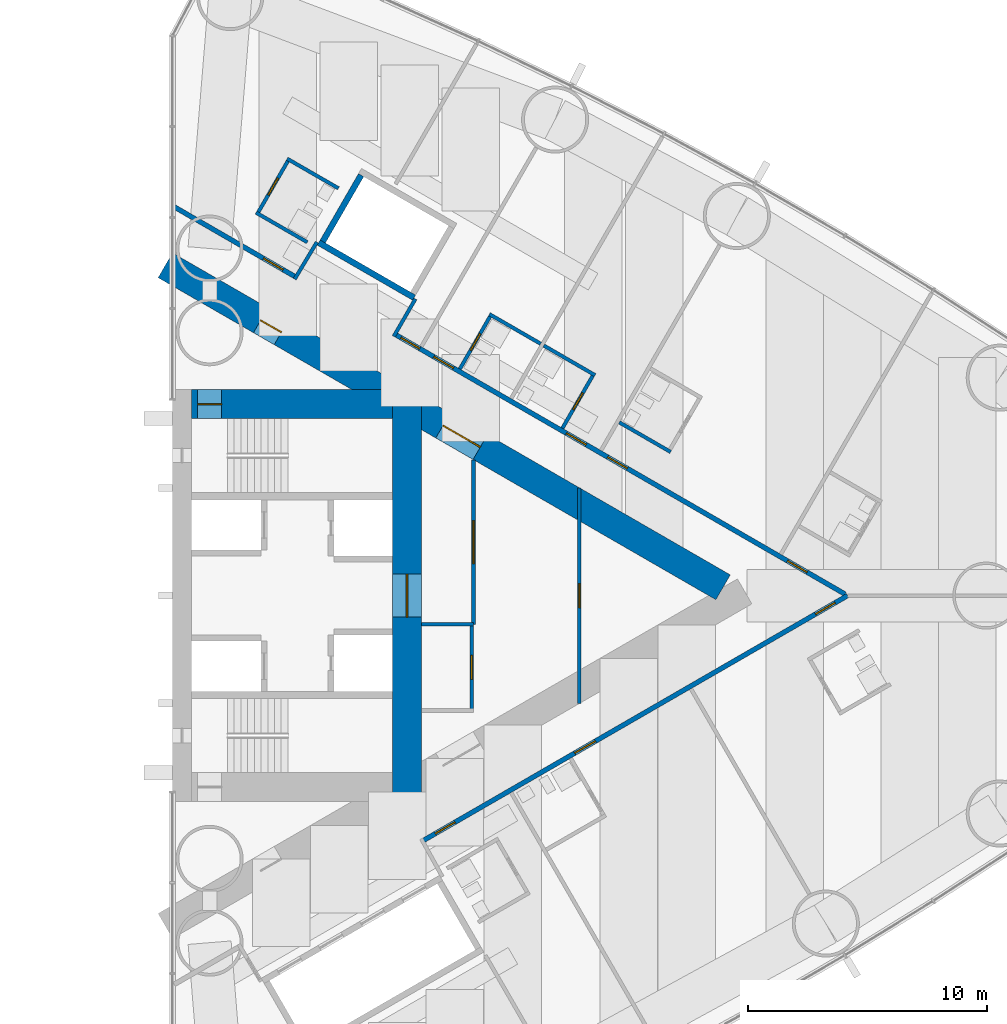
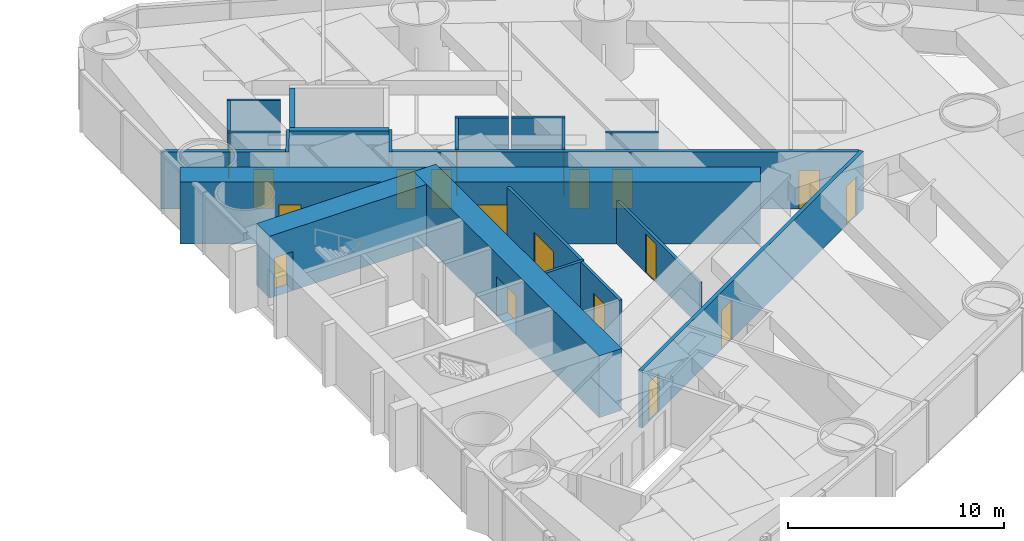
# One storey, part 15 of 19: 22 walls, 19 doors, 19 openings.
"""IFC4 building model written with IfcOpenShell, lengths in metres."""

from ifc_helpers import new_model, si_unit, direction, frame, frame_2d, origin, place, context, subcontext, project, spatial, rectangle, extrude, material, layer, layer_set, type_object, element, fill, save


model = new_model("IFC4")

# Units and contexts
model_context = context("Model", 3, precision=1e-05, world=origin(), true_north=direction((0.0, 1.0)))
body_context = subcontext(model_context, "Body", "Model", "MODEL_VIEW")
ifc_project = project(units=[si_unit("LENGTHUNIT", "METRE"), si_unit("AREAUNIT", "SQUARE_METRE"), si_unit("VOLUMEUNIT", "CUBIC_METRE"), si_unit("PLANEANGLEUNIT", "RADIAN"), si_unit("MASSUNIT", "GRAM", prefix="KILO")], contexts=[model_context])

# Site, building, storey
site_placement = place(None, origin())
site = spatial("IfcSite", under=ifc_project, at=site_placement, CompositionType="ELEMENT")
building_placement = place(site_placement, origin())
building = spatial("IfcBuilding", under=site, at=building_placement, Name="Lancet Gate Hotel", CompositionType="ELEMENT")
storey_placement = place(building_placement, frame((0.0, 0.0, 39.0)))
storey = spatial("IfcBuildingStorey", under=building, at=storey_placement, Name="L09", CompositionType="ELEMENT", Elevation=39.0)

# Walls
ifc_material_1 = material(Name="Moisture resistant board partition")
ifc_layer_1 = layer(ifc_material_1, 0.14990234375)
ifc_layer_set_1 = layer_set([ifc_layer_1], Name="Bathroom wall 150")
wall_type_1 = type_object("IfcWallType", Name="Bathroom wall 150", PredefinedType="PARTITIONING", material=ifc_layer_set_1)
wall_1_placement = place(storey_placement, frame((46.16796875, 7.23681640625, 0.0), z_axis=(0.0, 0.0, 1.0), x_axis=(0.866006523861, -0.500032699561, 0.0)))
element("IfcWall", 1, at=wall_1_placement, inside=storey, type_object=wall_type_1, Name="T2 bathroom wall 150 L09", PredefinedType="PARTITIONING", context=body_context, shape_type="SweptSolid", body=[
    extrude(rectangle(XDim=2.474853515625, YDim=0.14990234375, at=frame_2d((1.2373046875, 0.0))), origin(), (0.0, 0.0, 1.0), 3.25),
])
wall_2_placement = place(storey_placement, frame((43.01220703125, 10.4443359375, 0.0), z_axis=(0.0, 0.0, 1.0), x_axis=(0.866031185235, -0.4999899861, 0.0)))
element("IfcWall", 2, at=wall_2_placement, inside=storey, type_object=wall_type_1, Name="T2 bathroom wall 150 L09", PredefinedType="PARTITIONING", context=body_context, shape_type="SweptSolid", body=[
    extrude(rectangle(XDim=2.47509765625, YDim=0.14990234375, at=frame_2d((1.237548828125, 0.0))), origin(), (0.0, 0.0, 1.0), 3.25),
])

# Wall, opening, door
wall_3_placement = place(storey_placement, frame((43.790771484375, 6.99267578125, 0.0), z_axis=(0.0, 0.0, 1.0), x_axis=(0.500047596559, 0.865997922154, 0.0)))
wall_3 = element("IfcWall", 3, at=wall_3_placement, inside=storey, type_object=wall_type_1, Name="T2 bathroom wall 150 L09", PredefinedType="PARTITIONING", context=body_context, shape_type="SweptSolid", body=[
    extrude(rectangle(XDim=2.599853515625, YDim=0.14990234375, at=frame_2d((1.2998046875, 0.0))), origin(), (0.0, 0.0, 1.0), 3.25),
])
opening_1_placement = place(wall_3_placement, frame((0.89990234375, 0.0, 0.0)))
opening_1 = element("IfcOpeningElement", 4, at=opening_1_placement, cuts=wall_3, Name="Opening 0961-B", PredefinedType="OPENING", context=body_context, shape_type="SweptSolid", body=[
    extrude(rectangle(XDim=0.800048828125, YDim=2.199951171875, at=frame_2d((0.39990234375, 1.10009765625))), frame((0.0, 0.0849609375, 0.0), z_axis=(0.0, -1.0, 0.0), x_axis=(1.0, 0.0, 0.0)), (0.0, 0.0, 1.0), 0.169921875),
])
ifc_material_2 = material(Name="Timber door set", Category="wood")
door_type_1 = type_object("IfcDoorType", Name="Bathroom door 800", OperationType="SINGLE_SWING_RIGHT", PredefinedType="DOOR", material=ifc_material_2)
door_1_placement = place(opening_1_placement, origin())
door_1 = element("IfcDoor", 5, at=door_1_placement, inside=storey, type_object=door_type_1, Name="0961-B", OperationType="SINGLE_SWING_RIGHT", OverallHeight=2.199951171875, OverallWidth=0.800048828125, PredefinedType="DOOR", context=body_context, shape_type="SweptSolid", body=[
    extrude(rectangle(XDim=0.800048828125, YDim=2.199951171875, at=frame_2d((0.39990234375, 1.10009765625))), frame((0.0, 0.02490234375, 0.0), z_axis=(0.0, -1.0, 0.0), x_axis=(1.0, 0.0, 0.0)), (0.0, 0.0, 1.0), 0.050048828125),
])
fill(opening_1, door_1)

# Wall
wall_4_placement = place(storey_placement, frame((40.739013671875, 11.7568359375, 0.0), z_axis=(0.0, 0.0, 1.0), x_axis=(0.866006523861, -0.500032699561, 0.0)))
element("IfcWall", 6, at=wall_4_placement, inside=storey, type_object=wall_type_1, Name="T2 bathroom wall 150 L09", PredefinedType="PARTITIONING", context=body_context, shape_type="SweptSolid", body=[
    extrude(rectangle(XDim=2.474853515625, YDim=0.14990234375, at=frame_2d((1.2373046875, 0.0))), origin(), (0.0, 0.0, 1.0), 3.25),
])

# Wall, opening, door
wall_5_placement = place(storey_placement, frame((39.50390625, 9.467529296875, 0.0), z_axis=(0.0, 0.0, 1.0), x_axis=(0.500006934395, 0.866021400173, 0.0)))
wall_5 = element("IfcWall", 7, at=wall_5_placement, inside=storey, type_object=wall_type_1, Name="T2 bathroom wall 150 L09", PredefinedType="PARTITIONING", context=body_context, shape_type="SweptSolid", body=[
    extrude(rectangle(XDim=2.60009765625, YDim=0.14990234375, at=frame_2d((1.300048828125, 0.0))), origin(), (0.0, 0.0, 1.0), 3.25),
])
opening_2_placement = place(wall_5_placement, frame((0.89990234375, 0.0, 0.0)))
opening_2 = element("IfcOpeningElement", 8, at=opening_2_placement, cuts=wall_5, Name="Opening 0962-B", PredefinedType="OPENING", context=body_context, shape_type="SweptSolid", body=[
    extrude(rectangle(XDim=0.800048828125, YDim=2.199951171875, at=frame_2d((0.39990234375, 1.10009765625))), frame((0.0, 0.0849609375, 0.0), z_axis=(0.0, -1.0, 0.0), x_axis=(1.0, 0.0, 0.0)), (0.0, 0.0, 1.0), 0.169921875),
])
door_2_placement = place(opening_2_placement, origin())
door_2 = element("IfcDoor", 9, at=door_2_placement, inside=storey, type_object=door_type_1, Name="0962-B", OperationType="SINGLE_SWING_RIGHT", OverallHeight=2.199951171875, OverallWidth=0.800048828125, PredefinedType="DOOR", context=body_context, shape_type="SweptSolid", body=[
    extrude(rectangle(XDim=0.800048828125, YDim=2.199951171875, at=frame_2d((0.39990234375, 1.10009765625))), frame((0.0, 0.02490234375, 0.0), z_axis=(0.0, -1.0, 0.0), x_axis=(1.0, 0.0, 0.0)), (0.0, 0.0, 1.0), 0.050048828125),
])
fill(opening_2, door_2)

# Wall
wall_6_placement = place(storey_placement, frame((32.2890625, 18.251953125, 0.0), z_axis=(0.0, 0.0, 1.0), x_axis=(0.866006523861, -0.500032699561, 0.0)))
element("IfcWall", 10, at=wall_6_placement, inside=storey, type_object=wall_type_1, Name="T2 bathroom wall 150 L09", PredefinedType="PARTITIONING", context=body_context, shape_type="SweptSolid", body=[
    extrude(rectangle(XDim=2.474853515625, YDim=0.14990234375, at=frame_2d((1.2373046875, 0.0))), origin(), (0.0, 0.0, 1.0), 3.25),
])

# Wall, opening, door
wall_7_placement = place(storey_placement, frame((31.053955078125, 15.962646484375, 0.0), z_axis=(0.0, 0.0, 1.0), x_axis=(0.500006934395, 0.866021400173, 0.0)))
wall_7 = element("IfcWall", 11, at=wall_7_placement, inside=storey, type_object=wall_type_1, Name="T2 bathroom wall 150 L09", PredefinedType="PARTITIONING", context=body_context, shape_type="SweptSolid", body=[
    extrude(rectangle(XDim=2.60009765625, YDim=0.14990234375, at=frame_2d((1.300048828125, 0.0))), origin(), (0.0, 0.0, 1.0), 3.25),
])
opening_3_placement = place(wall_7_placement, frame((0.89990234375, 0.0, 0.0)))
opening_3 = element("IfcOpeningElement", 12, at=opening_3_placement, cuts=wall_7, Name="Opening 0964-B", PredefinedType="OPENING", context=body_context, shape_type="SweptSolid", body=[
    extrude(rectangle(XDim=0.800048828125, YDim=2.199951171875, at=frame_2d((0.39990234375, 1.10009765625))), frame((0.0, 0.0849609375, 0.0), z_axis=(0.0, -1.0, 0.0), x_axis=(1.0, 0.0, 0.0)), (0.0, 0.0, 1.0), 0.169921875),
])
door_3_placement = place(opening_3_placement, origin())
door_3 = element("IfcDoor", 13, at=door_3_placement, inside=storey, type_object=door_type_1, Name="0964-B", OperationType="SINGLE_SWING_RIGHT", OverallHeight=2.199951171875, OverallWidth=0.800048828125, PredefinedType="DOOR", context=body_context, shape_type="SweptSolid", body=[
    extrude(rectangle(XDim=0.800048828125, YDim=2.199951171875, at=frame_2d((0.39990234375, 1.10009765625))), frame((0.0, 0.02490234375, 0.0), z_axis=(0.0, -1.0, 0.0), x_axis=(1.0, 0.0, 0.0)), (0.0, 0.0, 1.0), 0.050048828125),
])
fill(opening_3, door_3)

# Wall
wall_8_placement = place(storey_placement, frame((30.989013671875, 16.000244140625, 0.0), z_axis=(0.0, 0.0, 1.0), x_axis=(0.866031185235, -0.4999899861, 0.0)))
element("IfcWall", 14, at=wall_8_placement, inside=storey, type_object=wall_type_1, Name="T2 bathroom wall 150 L09", PredefinedType="PARTITIONING", context=body_context, shape_type="SweptSolid", body=[
    extrude(rectangle(XDim=2.47509765625, YDim=0.14990234375, at=frame_2d((1.237548828125, 0.0))), origin(), (0.0, 0.0, 1.0), 3.25),
])

# Wall, openings, doors
ifc_material_3 = material(Name="Concrete C70/85", Category="concrete")
ifc_layer_2 = layer(ifc_material_3, 1.199951171875)
ifc_layer_set_2 = layer_set([ifc_layer_2], Name="Buttress wall 1200")
wall_type_2 = type_object("IfcWallType", Name="Buttress wall 1200", PredefinedType="SHEAR", material=ifc_layer_set_2)
wall_9_placement = place(storey_placement, frame((27.199951171875, 13.800048828125, 0.0), z_axis=(0.0, 0.0, 1.0), x_axis=(0.866024515034, -0.500001539357, 0.0)))
wall_9 = element("IfcWall", 15, at=wall_9_placement, inside=storey, type_object=wall_type_2, Name="T2 buttress wall N L09", PredefinedType="SHEAR", context=body_context, shape_type="SweptSolid", body=[
    extrude(rectangle(XDim=26.9072265625, YDim=1.199951171875, at=frame_2d((13.45361328125, 0.0))), origin(), (0.0, 0.0, 1.0), 3.5),
])
opening_4_placement = place(wall_9_placement, frame((4.60009765625, 0.0, 0.0)))
opening_4 = element("IfcOpeningElement", 16, at=opening_4_placement, cuts=wall_9, Name="Opening T2-L09-LN", PredefinedType="OPENING", context=body_context, shape_type="SweptSolid", body=[
    extrude(rectangle(XDim=1.0, YDim=2.199951171875, at=frame_2d((0.5, 1.10009765625))), frame((0.0, 0.60986328125, 0.0), z_axis=(0.0, -1.0, 0.0), x_axis=(1.0, 0.0, 0.0)), (0.0, 0.0, 1.0), 1.219970703125),
])
opening_5_placement = place(wall_9_placement, frame((13.39453125, 0.0, 0.0)))
opening_5 = element("IfcOpeningElement", 17, at=opening_5_placement, cuts=wall_9, Name="Opening T2-L09-LHN", PredefinedType="OPENING", context=body_context, shape_type="SweptSolid", body=[
    extrude(rectangle(XDim=1.800048828125, YDim=2.199951171875, at=frame_2d((0.89990234375, 1.10009765625))), frame((0.0, 0.60986328125, 0.0), z_axis=(0.0, -1.0, 0.0), x_axis=(1.0, 0.0, 0.0)), (0.0, 0.0, 1.0), 1.219970703125),
])
ifc_material_4 = material(Name="Timber door set", Category="wood")
door_type_2 = type_object("IfcDoorType", Name="Lobby double door 1800", OperationType="DOUBLE_DOOR_SINGLE_SWING", PredefinedType="DOOR", material=ifc_material_4)
door_4_placement = place(opening_5_placement, origin())
door_4 = element("IfcDoor", 18, at=door_4_placement, inside=storey, type_object=door_type_2, Name="T2-L09-LHN", OperationType="DOUBLE_DOOR_SINGLE_SWING", OverallHeight=2.199951171875, OverallWidth=1.800048828125, PredefinedType="DOOR", context=body_context, shape_type="SweptSolid", body=[
    extrude(rectangle(XDim=1.800048828125, YDim=2.199951171875, at=frame_2d((0.89990234375, 1.10009765625))), frame((0.0, 0.02490234375, 0.0), z_axis=(0.0, -1.0, 0.0), x_axis=(1.0, 0.0, 0.0)), (0.0, 0.0, 1.0), 0.050048828125),
])
fill(opening_5, door_4)
ifc_material_5 = material(Name="Timber door set", Category="wood")
door_type_3 = type_object("IfcDoorType", Name="Stair lobby door 1000", OperationType="SINGLE_SWING_LEFT", PredefinedType="DOOR", material=ifc_material_5)
door_5_placement = place(opening_4_placement, origin())
door_5 = element("IfcDoor", 19, at=door_5_placement, inside=storey, type_object=door_type_3, Name="T2-L09-LN", OperationType="SINGLE_SWING_LEFT", OverallHeight=2.199951171875, OverallWidth=1.0, PredefinedType="DOOR", context=body_context, shape_type="SweptSolid", body=[
    extrude(rectangle(XDim=1.0, YDim=2.199951171875, at=frame_2d((0.5, 1.10009765625))), frame((0.0, 0.02490234375, 0.0), z_axis=(0.0, -1.0, 0.0), x_axis=(1.0, 0.0, 0.0)), (0.0, 0.0, 1.0), 0.050048828125),
])
fill(opening_4, door_5)

# Wall, opening, door
ifc_material_6 = material(Name="Concrete C70/85", Category="concrete")
ifc_layer_3 = layer(ifc_material_6, 1.199951171875)
ifc_layer_set_3 = layer_set([ifc_layer_3], Name="Core wall 1200")
wall_type_3 = type_object("IfcWallType", Name="Core wall 1200", PredefinedType="SHEAR", material=ifc_layer_set_3)
wall_10_placement = place(storey_placement, frame((37.300048828125, -8.60009765625, 0.0), z_axis=(0.0, 0.0, 1.0), x_axis=(0.0, 1.0, 0.0)))
wall_10 = element("IfcWall", 20, at=wall_10_placement, inside=storey, type_object=wall_type_3, Name="T2 core wall back L09", PredefinedType="SHEAR", context=body_context, shape_type="SweptSolid", body=[
    extrude(rectangle(XDim=17.2001953125, YDim=1.199951171875, at=frame_2d((8.60009765625, 0.0))), origin(), (0.0, 0.0, 1.0), 3.5),
])
opening_6_placement = place(wall_10_placement, frame((7.699951171875, 0.0, 0.0)))
opening_6 = element("IfcOpeningElement", 21, at=opening_6_placement, cuts=wall_10, Name="Opening T2-L09-LL", PredefinedType="OPENING", context=body_context, shape_type="SweptSolid", body=[
    extrude(rectangle(XDim=1.800048828125, YDim=2.199951171875, at=frame_2d((0.89990234375, 1.10009765625))), frame((0.0, 0.60986328125, 0.0), z_axis=(0.0, -1.0, 0.0), x_axis=(1.0, 0.0, 0.0)), (0.0, 0.0, 1.0), 1.219970703125),
])
door_6_placement = place(opening_6_placement, origin())
door_6 = element("IfcDoor", 22, at=door_6_placement, inside=storey, type_object=door_type_2, Name="T2-L09-LL", OperationType="DOUBLE_DOOR_SINGLE_SWING", OverallHeight=2.199951171875, OverallWidth=1.800048828125, PredefinedType="DOOR", context=body_context, shape_type="SweptSolid", body=[
    extrude(rectangle(XDim=1.800048828125, YDim=2.199951171875, at=frame_2d((0.89990234375, 1.10009765625))), frame((0.0, 0.02490234375, 0.0), z_axis=(0.0, -1.0, 0.0), x_axis=(1.0, 0.0, 0.0)), (0.0, 0.0, 1.0), 0.050048828125),
])
fill(opening_6, door_6)

wall_11_placement = place(storey_placement, frame((28.300048828125, 8.0, 0.0), z_axis=(0.0, 0.0, 1.0), x_axis=(1.0, 0.0, 0.0)))
wall_11 = element("IfcWall", 23, at=wall_11_placement, inside=storey, type_object=wall_type_3, Name="T2 core wall side-N L09", PredefinedType="SHEAR", context=body_context, shape_type="SweptSolid", body=[
    extrude(rectangle(XDim=8.39990234375, YDim=1.199951171875, at=frame_2d((4.199951171875, 0.0))), origin(), (0.0, 0.0, 1.0), 3.5),
])
opening_7_placement = place(wall_11_placement, frame((0.25, 0.0, 0.0)))
opening_7 = element("IfcOpeningElement", 24, at=opening_7_placement, cuts=wall_11, Name="Opening T2-L09-ST2", PredefinedType="OPENING", context=body_context, shape_type="SweptSolid", body=[
    extrude(rectangle(XDim=1.0, YDim=2.199951171875, at=frame_2d((0.5, 1.10009765625))), frame((0.0, 0.60986328125, 0.0), z_axis=(0.0, -1.0, 0.0), x_axis=(1.0, 0.0, 0.0)), (0.0, 0.0, 1.0), 1.219970703125),
])
ifc_material_7 = material(Name="Timber door set", Category="wood")
door_type_4 = type_object("IfcDoorType", Name="Stair door 1000", OperationType="SINGLE_SWING_RIGHT", PredefinedType="DOOR", material=ifc_material_7)
door_7_placement = place(opening_7_placement, origin())
door_7 = element("IfcDoor", 25, at=door_7_placement, inside=storey, type_object=door_type_4, Name="T2-L09-ST2", OperationType="SINGLE_SWING_RIGHT", OverallHeight=2.199951171875, OverallWidth=1.0, PredefinedType="DOOR", context=body_context, shape_type="SweptSolid", body=[
    extrude(rectangle(XDim=1.0, YDim=2.199951171875, at=frame_2d((0.5, 1.10009765625))), frame((0.0, 0.02490234375, 0.0), z_axis=(0.0, -1.0, 0.0), x_axis=(1.0, 0.0, 0.0)), (0.0, 0.0, 1.0), 0.050048828125),
])
fill(opening_7, door_7)

# Wall, openings, doors
ifc_material_8 = material(Name="Gypsum board partition")
ifc_layer_4 = layer(ifc_material_8, 0.199951171875)
ifc_layer_set_4 = layer_set([ifc_layer_4], Name="Corridor wall 200")
wall_type_4 = type_object("IfcWallType", Name="Corridor wall 200", PredefinedType="PARTITIONING", material=ifc_layer_set_4)
wall_12_placement = place(storey_placement, frame((37.9599609375, -10.243408203125, 0.0), z_axis=(0.0, 0.0, 1.0), x_axis=(0.866026429433, 0.499998223521, 0.0)))
wall_12 = element("IfcWall", 26, at=wall_12_placement, inside=storey, type_object=wall_type_4, Name="T2 corridor wall 200 L09", PredefinedType="PARTITIONING", context=body_context, shape_type="SweptSolid", body=[
    extrude(rectangle(XDim=20.48681640625, YDim=0.199951171875, at=frame_2d((10.243408203125, 0.0))), origin(), (0.0, 0.0, 1.0), 3.25),
])
opening_8_placement = place(wall_12_placement, frame((7.324951171875, 0.0, 0.0)))
opening_8 = element("IfcOpeningElement", 27, at=opening_8_placement, cuts=wall_12, Name="Opening 0954-E", PredefinedType="OPENING", context=body_context, shape_type="SweptSolid", body=[
    extrude(rectangle(XDim=1.0, YDim=2.199951171875, at=frame_2d((0.5, 1.10009765625))), frame((0.0, 0.10986328125, 0.0), z_axis=(0.0, -1.0, 0.0), x_axis=(1.0, 0.0, 0.0)), (0.0, 0.0, 1.0), 0.219970703125),
])
opening_9_placement = place(wall_12_placement, frame((18.93701171875, 0.0, 0.0)))
opening_9 = element("IfcOpeningElement", 28, at=opening_9_placement, cuts=wall_12, Name="Opening 0956-E", PredefinedType="OPENING", context=body_context, shape_type="SweptSolid", body=[
    extrude(rectangle(XDim=0.949951171875, YDim=2.199951171875, at=frame_2d((0.47509765625, 1.10009765625))), frame((0.0, 0.10986328125, 0.0), z_axis=(0.0, -1.0, 0.0), x_axis=(1.0, 0.0, 0.0)), (0.0, 0.0, 1.0), 0.219970703125),
])
opening_10_placement = place(wall_12_placement, frame((0.60009765625, 0.0, 0.0)))
opening_10 = element("IfcOpeningElement", 29, at=opening_10_placement, cuts=wall_12, Name="Opening 0953-E", PredefinedType="OPENING", context=body_context, shape_type="SweptSolid", body=[
    extrude(rectangle(XDim=0.949951171875, YDim=2.199951171875, at=frame_2d((0.47509765625, 1.10009765625))), frame((0.0, 0.10986328125, 0.0), z_axis=(0.0, -1.0, 0.0), x_axis=(1.0, 0.0, 0.0)), (0.0, 0.0, 1.0), 0.219970703125),
])
ifc_material_9 = material(Name="Timber door set", Category="wood")
door_type_5 = type_object("IfcDoorType", Name="Accessible guest room door 1000", OperationType="SINGLE_SWING_LEFT", PredefinedType="DOOR", material=ifc_material_9)
door_8_placement = place(opening_8_placement, origin())
door_8 = element("IfcDoor", 30, at=door_8_placement, inside=storey, type_object=door_type_5, Name="0954-E", OperationType="SINGLE_SWING_LEFT", OverallHeight=2.199951171875, OverallWidth=1.0, PredefinedType="DOOR", context=body_context, shape_type="SweptSolid", body=[
    extrude(rectangle(XDim=1.0, YDim=2.199951171875, at=frame_2d((0.5, 1.10009765625))), frame((0.0, 0.02490234375, 0.0), z_axis=(0.0, -1.0, 0.0), x_axis=(1.0, 0.0, 0.0)), (0.0, 0.0, 1.0), 0.050048828125),
])
fill(opening_8, door_8)
ifc_material_10 = material(Name="Timber door set", Category="wood")
door_type_6 = type_object("IfcDoorType", Name="Guest room entry door 950", OperationType="SINGLE_SWING_LEFT", PredefinedType="DOOR", material=ifc_material_10)
door_9_placement = place(opening_9_placement, origin())
door_9 = element("IfcDoor", 31, at=door_9_placement, inside=storey, type_object=door_type_6, Name="0956-E", OperationType="SINGLE_SWING_LEFT", OverallHeight=2.199951171875, OverallWidth=0.949951171875, PredefinedType="DOOR", context=body_context, shape_type="SweptSolid", body=[
    extrude(rectangle(XDim=0.949951171875, YDim=2.199951171875, at=frame_2d((0.47509765625, 1.10009765625))), frame((0.0, 0.02490234375, 0.0), z_axis=(0.0, -1.0, 0.0), x_axis=(1.0, 0.0, 0.0)), (0.0, 0.0, 1.0), 0.050048828125),
])
fill(opening_9, door_9)
door_10_placement = place(opening_10_placement, origin())
door_10 = element("IfcDoor", 32, at=door_10_placement, inside=storey, type_object=door_type_6, Name="0953-E", OperationType="SINGLE_SWING_LEFT", OverallHeight=2.199951171875, OverallWidth=0.949951171875, PredefinedType="DOOR", context=body_context, shape_type="SweptSolid", body=[
    extrude(rectangle(XDim=0.949951171875, YDim=2.199951171875, at=frame_2d((0.47509765625, 1.10009765625))), frame((0.0, 0.02490234375, 0.0), z_axis=(0.0, -1.0, 0.0), x_axis=(1.0, 0.0, 0.0)), (0.0, 0.0, 1.0), 0.050048828125),
])
fill(opening_10, door_10)

# Wall, opening, door
wall_13_placement = place(storey_placement, frame((27.572021484375, 16.240966796875, 0.0), z_axis=(0.0, 0.0, 1.0), x_axis=(0.866032814021, -0.499987164874, 0.0)))
wall_13 = element("IfcWall", 33, at=wall_13_placement, inside=storey, type_object=wall_type_4, Name="T2 corridor wall 200 L09", PredefinedType="PARTITIONING", context=body_context, shape_type="SweptSolid", body=[
    extrude(rectangle(XDim=5.854736328125, YDim=0.199951171875, at=frame_2d((2.92724609375, 0.0))), origin(), (0.0, 0.0, 1.0), 3.25),
])
opening_11_placement = place(wall_13_placement, frame((4.3046875, 0.0, 0.0)))
opening_11 = element("IfcOpeningElement", 34, at=opening_11_placement, cuts=wall_13, Name="Opening 0964-E", PredefinedType="OPENING", context=body_context, shape_type="SweptSolid", body=[
    extrude(rectangle(XDim=0.949951171875, YDim=2.199951171875, at=frame_2d((0.47509765625, 1.10009765625))), frame((0.0, 0.10986328125, 0.0), z_axis=(0.0, -1.0, 0.0), x_axis=(1.0, 0.0, 0.0)), (0.0, 0.0, 1.0), 0.219970703125),
])
door_11_placement = place(opening_11_placement, origin())
door_11 = element("IfcDoor", 35, at=door_11_placement, inside=storey, type_object=door_type_6, Name="0964-E", OperationType="SINGLE_SWING_LEFT", OverallHeight=2.199951171875, OverallWidth=0.949951171875, PredefinedType="DOOR", context=body_context, shape_type="SweptSolid", body=[
    extrude(rectangle(XDim=0.949951171875, YDim=2.199951171875, at=frame_2d((0.47509765625, 1.10009765625))), frame((0.0, 0.02490234375, 0.0), z_axis=(0.0, -1.0, 0.0), x_axis=(1.0, 0.0, 0.0)), (0.0, 0.0, 1.0), 0.050048828125),
])
fill(opening_11, door_11)

# Wall, openings, doors
wall_14_placement = place(storey_placement, frame((36.833984375, 10.8935546875, 0.0), z_axis=(0.0, 0.0, 1.0), x_axis=(0.866028157229, -0.499995230863, 0.0)))
wall_14 = element("IfcWall", 36, at=wall_14_placement, inside=storey, type_object=wall_type_4, Name="T2 corridor wall 200 L09", PredefinedType="PARTITIONING", context=body_context, shape_type="SweptSolid", body=[
    extrude(rectangle(XDim=21.667236328125, YDim=0.199951171875, at=frame_2d((10.83349609375, 0.0))), origin(), (0.0, 0.0, 1.0), 3.25),
])
opening_12_placement = place(wall_14_placement, frame((18.885498046875, 0.0, 0.0)))
opening_12 = element("IfcOpeningElement", 37, at=opening_12_placement, cuts=wall_14, Name="Opening 0958-E", PredefinedType="OPENING", context=body_context, shape_type="SweptSolid", body=[
    extrude(rectangle(XDim=0.949951171875, YDim=2.199951171875, at=frame_2d((0.47509765625, 1.10009765625))), frame((0.0, 0.10986328125, 0.0), z_axis=(0.0, -1.0, 0.0), x_axis=(1.0, 0.0, 0.0)), (0.0, 0.0, 1.0), 0.219970703125),
])
opening_13_placement = place(wall_14_placement, frame((10.211669921875, 0.0, 0.0)))
opening_13 = element("IfcOpeningElement", 38, at=opening_13_placement, cuts=wall_14, Name="Opening 0959-E", PredefinedType="OPENING", context=body_context, shape_type="SweptSolid", body=[
    extrude(rectangle(XDim=0.949951171875, YDim=2.199951171875, at=frame_2d((0.47509765625, 1.10009765625))), frame((0.0, 0.10986328125, 0.0), z_axis=(0.0, -1.0, 0.0), x_axis=(1.0, 0.0, 0.0)), (0.0, 0.0, 1.0), 0.219970703125),
])
opening_14_placement = place(wall_14_placement, frame((8.22509765625, 0.0, 0.0)))
opening_14 = element("IfcOpeningElement", 39, at=opening_14_placement, cuts=wall_14, Name="Opening 0961-E", PredefinedType="OPENING", context=body_context, shape_type="SweptSolid", body=[
    extrude(rectangle(XDim=0.949951171875, YDim=2.199951171875, at=frame_2d((0.47509765625, 1.10009765625))), frame((0.0, 0.10986328125, 0.0), z_axis=(0.0, -1.0, 0.0), x_axis=(1.0, 0.0, 0.0)), (0.0, 0.0, 1.0), 0.219970703125),
])
opening_15_placement = place(wall_14_placement, frame((1.8251953125, 0.0, 0.0)))
opening_15 = element("IfcOpeningElement", 40, at=opening_15_placement, cuts=wall_14, Name="Opening 0962-E", PredefinedType="OPENING", context=body_context, shape_type="SweptSolid", body=[
    extrude(rectangle(XDim=0.949951171875, YDim=2.199951171875, at=frame_2d((0.47509765625, 1.10009765625))), frame((0.0, 0.10986328125, 0.0), z_axis=(0.0, -1.0, 0.0), x_axis=(1.0, 0.0, 0.0)), (0.0, 0.0, 1.0), 0.219970703125),
])
opening_16_placement = place(wall_14_placement, frame((0.246337890625, 0.0, 0.0)))
opening_16 = element("IfcOpeningElement", 41, at=opening_16_placement, cuts=wall_14, Name="Opening T2-L09-LO2", PredefinedType="OPENING", context=body_context, shape_type="SweptSolid", body=[
    extrude(rectangle(XDim=0.89990234375, YDim=2.199951171875, at=frame_2d((0.449951171875, 1.10009765625))), frame((0.0, 0.10986328125, 0.0), z_axis=(0.0, -1.0, 0.0), x_axis=(1.0, 0.0, 0.0)), (0.0, 0.0, 1.0), 0.219970703125),
])
door_12_placement = place(opening_12_placement, origin())
door_12 = element("IfcDoor", 42, at=door_12_placement, inside=storey, type_object=door_type_6, Name="0958-E", OperationType="SINGLE_SWING_LEFT", OverallHeight=2.199951171875, OverallWidth=0.949951171875, PredefinedType="DOOR", context=body_context, shape_type="SweptSolid", body=[
    extrude(rectangle(XDim=0.949951171875, YDim=2.199951171875, at=frame_2d((0.47509765625, 1.10009765625))), frame((0.0, 0.02490234375, 0.0), z_axis=(0.0, -1.0, 0.0), x_axis=(1.0, 0.0, 0.0)), (0.0, 0.0, 1.0), 0.050048828125),
])
fill(opening_12, door_12)
door_13_placement = place(opening_13_placement, origin())
door_13 = element("IfcDoor", 43, at=door_13_placement, inside=storey, type_object=door_type_6, Name="0959-E", OperationType="SINGLE_SWING_LEFT", OverallHeight=2.199951171875, OverallWidth=0.949951171875, PredefinedType="DOOR", context=body_context, shape_type="SweptSolid", body=[
    extrude(rectangle(XDim=0.949951171875, YDim=2.199951171875, at=frame_2d((0.47509765625, 1.10009765625))), frame((0.0, 0.02490234375, 0.0), z_axis=(0.0, -1.0, 0.0), x_axis=(1.0, 0.0, 0.0)), (0.0, 0.0, 1.0), 0.050048828125),
])
fill(opening_13, door_13)
door_14_placement = place(opening_14_placement, origin())
door_14 = element("IfcDoor", 44, at=door_14_placement, inside=storey, type_object=door_type_6, Name="0961-E", OperationType="SINGLE_SWING_LEFT", OverallHeight=2.199951171875, OverallWidth=0.949951171875, PredefinedType="DOOR", context=body_context, shape_type="SweptSolid", body=[
    extrude(rectangle(XDim=0.949951171875, YDim=2.199951171875, at=frame_2d((0.47509765625, 1.10009765625))), frame((0.0, 0.02490234375, 0.0), z_axis=(0.0, -1.0, 0.0), x_axis=(1.0, 0.0, 0.0)), (0.0, 0.0, 1.0), 0.050048828125),
])
fill(opening_14, door_14)
door_15_placement = place(opening_15_placement, origin())
door_15 = element("IfcDoor", 45, at=door_15_placement, inside=storey, type_object=door_type_6, Name="0962-E", OperationType="SINGLE_SWING_LEFT", OverallHeight=2.199951171875, OverallWidth=0.949951171875, PredefinedType="DOOR", context=body_context, shape_type="SweptSolid", body=[
    extrude(rectangle(XDim=0.949951171875, YDim=2.199951171875, at=frame_2d((0.47509765625, 1.10009765625))), frame((0.0, 0.02490234375, 0.0), z_axis=(0.0, -1.0, 0.0), x_axis=(1.0, 0.0, 0.0)), (0.0, 0.0, 1.0), 0.050048828125),
])
fill(opening_15, door_15)
door_16_placement = place(opening_16_placement, origin())
door_16 = element("IfcDoor", 46, at=door_16_placement, inside=storey, type_object=door_type_6, Name="T2-L09-LO2", OperationType="SINGLE_SWING_LEFT", OverallHeight=2.199951171875, OverallWidth=0.89990234375, PredefinedType="DOOR", context=body_context, shape_type="SweptSolid", body=[
    extrude(rectangle(XDim=0.89990234375, YDim=2.199951171875, at=frame_2d((0.449951171875, 1.10009765625))), frame((0.0, 0.02490234375, 0.0), z_axis=(0.0, -1.0, 0.0), x_axis=(1.0, 0.0, 0.0)), (0.0, 0.0, 1.0), 0.050048828125),
])
fill(opening_16, door_16)

# Walls
ifc_material_11 = material(Name="Gypsum board partition")
ifc_layer_5 = layer(ifc_material_11, 0.25)
ifc_layer_set_5 = layer_set([ifc_layer_5], Name="Lift shaft partition 250")
wall_type_5 = type_object("IfcWallType", Name="Lift shaft partition 250", PredefinedType="PARTITIONING", material=ifc_layer_set_5)
wall_15_placement = place(storey_placement, frame((33.6083984375, 14.747314453125, 0.0), z_axis=(0.0, 0.0, 1.0), x_axis=(0.866043305498, -0.49996899204, 0.0)))
element("IfcWall", 47, at=wall_15_placement, inside=storey, type_object=wall_type_5, Name="T2 lift shaft wall EX L09", PredefinedType="PARTITIONING", context=body_context, shape_type="SweptSolid", body=[
    extrude(rectangle(XDim=4.600341796875, YDim=0.25, at=frame_2d((2.30029296875, 0.0))), origin(), (0.0, 0.0, 1.0), 3.25),
])
wall_16_placement = place(storey_placement, frame((33.779296875, 14.79296875, 0.0), z_axis=(0.0, 0.0, 1.0), x_axis=(0.499929347863, 0.866066190972, 0.0)))
element("IfcWall", 48, at=wall_16_placement, inside=storey, type_object=wall_type_5, Name="T2 lift shaft wall EX L09", PredefinedType="PARTITIONING", context=body_context, shape_type="SweptSolid", body=[
    extrude(rectangle(XDim=3.20068359375, YDim=0.25, at=frame_2d((1.600341796875, 0.0))), origin(), (0.0, 0.0, 1.0), 3.25),
])
ifc_material_12 = material(Name="Gypsum board partition")
ifc_layer_6 = layer(ifc_material_12, 0.14990234375)
ifc_layer_set_6 = layer_set([ifc_layer_6], Name="Service room wall 150")
wall_type_6 = type_object("IfcWallType", Name="Service room wall 150", PredefinedType="PARTITIONING", material=ifc_layer_set_6)
for number, where, z_axis, x_axis, name in (
    (49, (33.533447265625, 14.767333984375, 0.0), (0.0, 0.0, 1.0), (-0.514296815006, -0.857612258585, 0.0), "T2 service room wall 150 L09"),
    (50, (36.7451171875, 10.829345703125, 0.0), (0.0, 0.0, 1.0), (0.499921502396, 0.866070719654, 0.0), "T2 service room wall 150 L09"),
):
    element("IfcWall", number, at=place(storey_placement, frame(where, z_axis=z_axis, x_axis=x_axis)), inside=storey, type_object=wall_type_6, Name=name, PredefinedType="PARTITIONING", context=body_context, shape_type="SweptSolid", body=[
        extrude(rectangle(XDim=1.804931640625, YDim=0.14990234375, at=frame_2d((0.90234375, 0.0))), origin(), (0.0, 0.0, 1.0), 3.25),
    ])
wall_17_placement = place(storey_placement, frame((37.89990234375, -1.199951171875, 0.0), z_axis=(0.0, 0.0, 1.0), x_axis=(1.0, 0.0, 0.0)))
element("IfcWall", 51, at=wall_17_placement, inside=storey, type_object=wall_type_6, Name="T2 service room wall 150 L09", PredefinedType="PARTITIONING", context=body_context, shape_type="SweptSolid", body=[
    extrude(rectangle(XDim=2.175048828125, YDim=0.14990234375, at=frame_2d((1.08740234375, 0.0))), origin(), (0.0, 0.0, 1.0), 3.25),
])

# Wall, opening, door
wall_18_placement = place(storey_placement, frame((40.0, -4.875, 0.0), z_axis=(0.0, 0.0, 1.0), x_axis=(0.0, 1.0, 0.0)))
wall_18 = element("IfcWall", 52, at=wall_18_placement, inside=storey, type_object=wall_type_6, Name="T2 service room wall 150 L09", PredefinedType="PARTITIONING", context=body_context, shape_type="SweptSolid", body=[
    extrude(rectangle(XDim=3.75, YDim=0.14990234375, at=frame_2d((1.875, 0.0))), origin(), (0.0, 0.0, 1.0), 3.25),
])
opening_17_placement = place(wall_18_placement, frame((1.375, 0.0, 0.0)))
opening_17 = element("IfcOpeningElement", 53, at=opening_17_placement, cuts=wall_18, Name="Opening T2-L09-HRS0", PredefinedType="OPENING", context=body_context, shape_type="SweptSolid", body=[
    extrude(rectangle(XDim=1.0, YDim=2.199951171875, at=frame_2d((0.5, 1.10009765625))), frame((0.0, 0.0849609375, 0.0), z_axis=(0.0, -1.0, 0.0), x_axis=(1.0, 0.0, 0.0)), (0.0, 0.0, 1.0), 0.169921875),
])
ifc_material_13 = material(Name="Timber door set", Category="wood")
door_type_7 = type_object("IfcDoorType", Name="Service door 1000", OperationType="SINGLE_SWING_LEFT", PredefinedType="DOOR", material=ifc_material_13)
door_17_placement = place(opening_17_placement, origin())
door_17 = element("IfcDoor", 54, at=door_17_placement, inside=storey, type_object=door_type_7, Name="T2-L09-HRS0", OperationType="SINGLE_SWING_LEFT", OverallHeight=2.199951171875, OverallWidth=1.0, PredefinedType="DOOR", context=body_context, shape_type="SweptSolid", body=[
    extrude(rectangle(XDim=1.0, YDim=2.199951171875, at=frame_2d((0.5, 1.10009765625))), frame((0.0, 0.02490234375, 0.0), z_axis=(0.0, -1.0, 0.0), x_axis=(1.0, 0.0, 0.0)), (0.0, 0.0, 1.0), 0.050048828125),
])
fill(opening_17, door_17)

wall_19_placement = place(storey_placement, frame((40.074951171875, -1.199951171875, 0.0), z_axis=(0.0, 0.0, 1.0), x_axis=(0.0, 1.0, 0.0)))
wall_19 = element("IfcWall", 55, at=wall_19_placement, inside=storey, type_object=wall_type_6, Name="T2 service room wall 150 L09", PredefinedType="PARTITIONING", context=body_context, shape_type="SweptSolid", body=[
    extrude(rectangle(XDim=6.873779296875, YDim=0.14990234375, at=frame_2d((3.43701171875, 0.0))), origin(), (0.0, 0.0, 1.0), 3.25),
])
opening_18_placement = place(wall_19_placement, frame((2.536865234375, 0.0, 0.0)))
opening_18 = element("IfcOpeningElement", 56, at=opening_18_placement, cuts=wall_19, Name="Opening T2-L09-LH", PredefinedType="OPENING", context=body_context, shape_type="SweptSolid", body=[
    extrude(rectangle(XDim=1.800048828125, YDim=2.199951171875, at=frame_2d((0.89990234375, 1.10009765625))), frame((0.0, 0.0849609375, 0.0), z_axis=(0.0, -1.0, 0.0), x_axis=(1.0, 0.0, 0.0)), (0.0, 0.0, 1.0), 0.169921875),
])
door_18_placement = place(opening_18_placement, origin())
door_18 = element("IfcDoor", 57, at=door_18_placement, inside=storey, type_object=door_type_2, Name="T2-L09-LH", OperationType="DOUBLE_DOOR_SINGLE_SWING", OverallHeight=2.199951171875, OverallWidth=1.800048828125, PredefinedType="DOOR", context=body_context, shape_type="SweptSolid", body=[
    extrude(rectangle(XDim=1.800048828125, YDim=2.199951171875, at=frame_2d((0.89990234375, 1.10009765625))), frame((0.0, 0.02490234375, 0.0), z_axis=(0.0, -1.0, 0.0), x_axis=(1.0, 0.0, 0.0)), (0.0, 0.0, 1.0), 0.050048828125),
])
fill(opening_18, door_18)

wall_20_placement = place(storey_placement, frame((44.5, -4.504638671875, 0.0), z_axis=(0.0, 0.0, 1.0), x_axis=(0.0, 1.0, 0.0)))
wall_20 = element("IfcWall", 58, at=wall_20_placement, inside=storey, type_object=wall_type_6, Name="T2 service room wall 150 L09", PredefinedType="PARTITIONING", context=body_context, shape_type="SweptSolid", body=[
    extrude(rectangle(XDim=9.00927734375, YDim=0.14990234375, at=frame_2d((4.504638671875, 0.0))), origin(), (0.0, 0.0, 1.0), 2.449951171875),
])
opening_19_placement = place(wall_20_placement, frame((4.004638671875, 0.0, 0.0)))
opening_19 = element("IfcOpeningElement", 59, at=opening_19_placement, cuts=wall_20, Name="Opening T2-L09-SV", PredefinedType="OPENING", context=body_context, shape_type="SweptSolid", body=[
    extrude(rectangle(XDim=1.0, YDim=2.199951171875, at=frame_2d((0.5, 1.10009765625))), frame((0.0, 0.0849609375, 0.0), z_axis=(0.0, -1.0, 0.0), x_axis=(1.0, 0.0, 0.0)), (0.0, 0.0, 1.0), 0.169921875),
])
door_19_placement = place(opening_19_placement, origin())
door_19 = element("IfcDoor", 60, at=door_19_placement, inside=storey, type_object=door_type_7, Name="T2-L09-SV", OperationType="SINGLE_SWING_LEFT", OverallHeight=2.199951171875, OverallWidth=1.0, PredefinedType="DOOR", context=body_context, shape_type="SweptSolid", body=[
    extrude(rectangle(XDim=1.0, YDim=2.199951171875, at=frame_2d((0.5, 1.10009765625))), frame((0.0, 0.02490234375, 0.0), z_axis=(0.0, -1.0, 0.0), x_axis=(1.0, 0.0, 0.0)), (0.0, 0.0, 1.0), 0.050048828125),
])
fill(opening_19, door_19)

save(model, "model.ifc")
